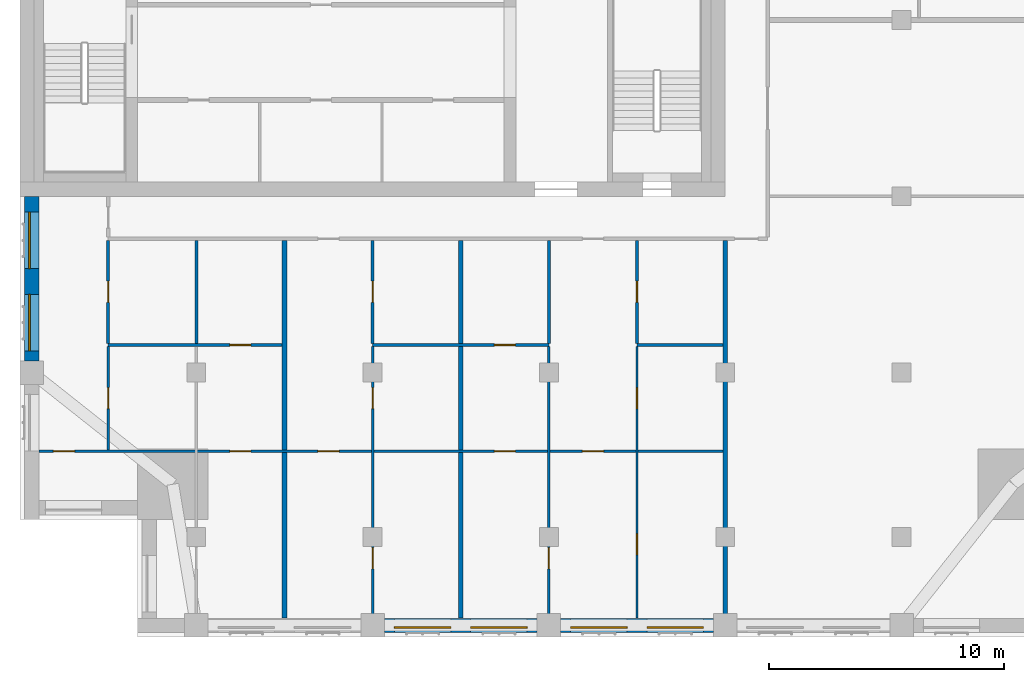
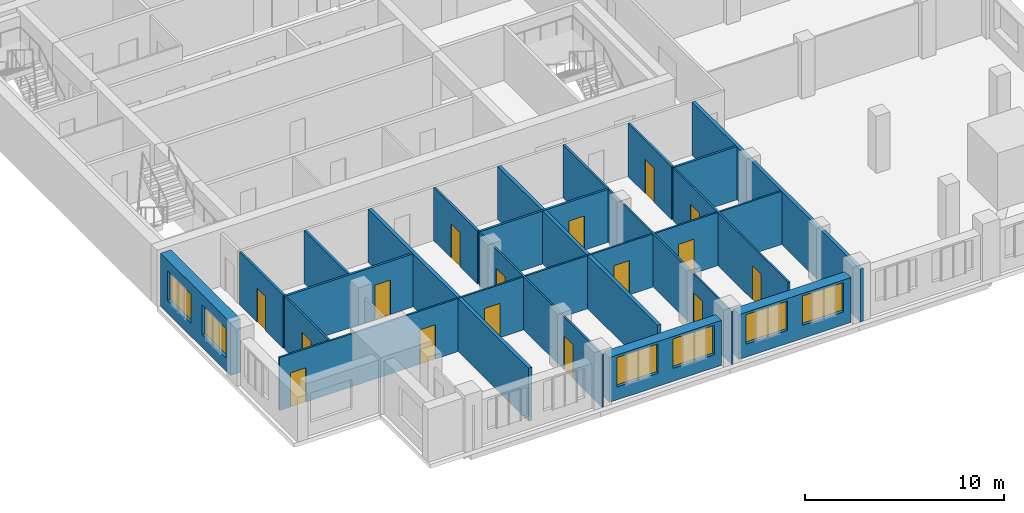
# One storey, part 3 of 10: 19 walls, 16 doors, 6 windows, 22 openings.
"""IFC4 building model written with IfcOpenShell, lengths in metres."""

import ifcopenshell
import ifcopenshell.guid

model = None  # the IFC model being written
_history = None  # IfcOwnerHistory: only IFC2X3 demands one
_inside = {}  # id of a spatial element -> (the spatial element, [elements in it])
_under = {}  # id of a project, library or spatial element -> (it, [spatial elements below it])
_declared = {}  # id of a project -> (the project, [libraries it declares])
_typed = {}  # id of a type object -> (the type object, [elements of that type])
_made_of = {}  # id of a material, layer set ... -> (it, [elements and type objects made of it])


def new_model(schema):
    """Start an empty IFC model of exactly this schema.

    Asked for "IFC4X3", IfcOpenShell would pick the latest addendum, in which some entities
    have other attributes; the version numbers below select the first issue.
    IFC2X3 requires an IfcOwnerHistory on every rooted entity: one is made here for all.
    """
    global model, _history
    if schema == "IFC4X3":
        model = ifcopenshell.file(schema_version=(4, 3, 0, 0))
    else:
        model = ifcopenshell.file(schema=schema)
    _inside.clear()
    _under.clear()
    _declared.clear()
    _typed.clear()
    _made_of.clear()
    _history = None
    if model.schema == "IFC2X3":
        org = make("IfcOrganization", Name="unknown")
        user = make(
            "IfcPersonAndOrganization",
            ThePerson=make("IfcPerson", FamilyName="unknown"),
            TheOrganization=org,
        )
        app = make(
            "IfcApplication",
            ApplicationDeveloper=org,
            Version="unknown",
            ApplicationFullName="unknown",
            ApplicationIdentifier="unknown",
        )
        _history = make(
            "IfcOwnerHistory",
            OwningUser=user,
            OwningApplication=app,
            ChangeAction="ADDED",
            CreationDate=0,
        )
    return model


def make(cls, **values):
    """One entity of the class cls with the attributes given. An attribute that is None is left unset."""
    return model.create_entity(
        cls, **{name: value for name, value in values.items() if value is not None}
    )


def rooted(cls, **values):
    """An entity with a GlobalId (a new one), such as an element, a storey or a relation."""
    return make(cls, GlobalId=ifcopenshell.guid.new(), OwnerHistory=_history, **values)


def si_unit(unit_type, name, prefix=None):
    """IfcSIUnit, for example si_unit("LENGTHUNIT", "METRE", prefix="MILLI")."""
    return make("IfcSIUnit", UnitType=unit_type, Prefix=prefix, Name=name)


def assignment(units):
    """IfcUnitAssignment: the units of a project."""
    return None if units is None else make("IfcUnitAssignment", Units=units)


def point(xyz):
    """IfcCartesianPoint."""
    return None if xyz is None else make("IfcCartesianPoint", Coordinates=xyz)


def direction(xyz):
    """IfcDirection."""
    return None if xyz is None else make("IfcDirection", DirectionRatios=xyz)


def frame(location, z_axis=None, x_axis=None):
    """IfcAxis2Placement3D, a coordinate frame: its origin and axes. An axis left out is left unset."""
    return make(
        "IfcAxis2Placement3D",
        Location=point(location),
        Axis=direction(z_axis),
        RefDirection=direction(x_axis),
    )


def frame_2d(location, x_axis=None):
    """IfcAxis2Placement2D, a coordinate frame in the plane: its origin and x axis."""
    return make(
        "IfcAxis2Placement2D", Location=point(location), RefDirection=direction(x_axis)
    )


def origin():
    """The frame at (0, 0, 0) with its axes left unset."""
    return frame((0.0, 0.0, 0.0))


def place(relative_to, where):
    """IfcLocalPlacement: puts the frame where relative to a parent placement (None: the world)."""
    return make(
        "IfcLocalPlacement", PlacementRelTo=relative_to, RelativePlacement=where
    )


def context(
    kind, dimensions, precision=None, world=None, true_north=None, identifier=None
):
    """IfcGeometricRepresentationContext, for example the 3D "Model" context."""
    return make(
        "IfcGeometricRepresentationContext",
        ContextIdentifier=identifier,
        ContextType=kind,
        CoordinateSpaceDimension=dimensions,
        Precision=precision,
        WorldCoordinateSystem=world,
        TrueNorth=true_north,
    )


def subcontext(parent, identifier, kind, view, scale=None):
    """IfcGeometricRepresentationSubContext, for example "Body" below "Model"."""
    return make(
        "IfcGeometricRepresentationSubContext",
        ContextIdentifier=identifier,
        ContextType=kind,
        ParentContext=parent,
        TargetScale=scale,
        TargetView=view,
    )


def project(units=None, contexts=None):
    """IfcProject with its units and contexts."""
    return rooted(
        "IfcProject",
        Name="project",
        RepresentationContexts=contexts,
        UnitsInContext=assignment(units),
    )


def spatial(cls, under=None, at=None, **own):
    """A site, building, storey or space (cls), placed at a placement, below another one or the project."""
    s = rooted(cls, ObjectPlacement=at, **own)
    if under is not None:
        _under.setdefault(under.id(), (under, []))[1].append(s)
    return s


def profile(cls, at=None, kind="AREA", **sizes):
    """A parametric profile (cls). Its sizes go by their IFC names, for example OverallWidth=200.0."""
    return make(cls, ProfileType=kind, Position=at, **sizes)


def rectangle(**sizes):
    """IfcRectangleProfileDef."""
    return profile("IfcRectangleProfileDef", **sizes)


def extrude(swept, where, along, depth):
    """IfcExtrudedAreaSolid: the profile swept, set in the frame where, extruded along a direction by depth."""
    return make(
        "IfcExtrudedAreaSolid",
        SweptArea=swept,
        Position=where,
        ExtrudedDirection=direction(along),
        Depth=depth,
    )


def shape(context_of_items, identifier, shape_type, items):
    """IfcShapeRepresentation: the items that make up one representation, for example the "Body"."""
    return make(
        "IfcShapeRepresentation",
        ContextOfItems=context_of_items,
        RepresentationIdentifier=identifier,
        RepresentationType=shape_type,
        Items=items,
    )


def material(Name=None, Category=None):
    """IfcMaterial."""
    return make("IfcMaterial", Name=Name, Category=Category)


def layer(
    of_material, thickness, ventilated=None, Name=None, Category=None, Priority=None
):
    """IfcMaterialLayer: one layer of a wall or slab, of a material (None: an air gap)."""
    return make(
        "IfcMaterialLayer",
        Material=of_material,
        LayerThickness=thickness,
        IsVentilated=ventilated,
        Name=Name,
        Category=Category,
        Priority=Priority,
    )


def layer_set(layers, Name=None):
    """IfcMaterialLayerSet."""
    return make("IfcMaterialLayerSet", MaterialLayers=layers, LayerSetName=Name)


def made_of(thing, what):
    """Note that an element or type object is made of a material, layer set ...; save() writes the relation."""
    if what is not None:
        _made_of.setdefault(what.id(), (what, []))[1].append(thing)
    return thing


def type_object(cls, material=None, **own):
    """A type object (cls), such as IfcWallType, which elements share."""
    return made_of(rooted(cls, **own), material)


def element(
    cls,
    number,
    at=None,
    inside=None,
    cuts=None,
    type_object=None,
    material=None,
    context=None,
    identifier="Body",
    shape_type=None,
    held_by="IfcProductDefinitionShape",
    body=None,
    shapes=None,
    **own,
):
    """One element of the class cls, such as IfcWall. Its Tag is "e" and its number.

    at: its placement. inside: the storey or other place that contains it. cuts: it is an
    opening in that element (IfcRelVoidsElement). A single representation is given by context,
    identifier, shape_type and body (its items); several are given by shapes. held_by: the class
    of the entity that holds the representations. save() writes the other relations.
    """
    e = rooted(cls, Tag="e%d" % number, ObjectPlacement=at, **own)
    if body is not None:
        shapes = [shape(context, identifier, shape_type, body)]
    if shapes is not None:
        e.Representation = make(held_by, Representations=shapes)
    if inside is not None:
        _inside.setdefault(inside.id(), (inside, []))[1].append(e)
    if cuts is not None:
        rooted(
            "IfcRelVoidsElement", RelatingBuildingElement=cuts, RelatedOpeningElement=e
        )
    if type_object is not None:
        _typed.setdefault(type_object.id(), (type_object, []))[1].append(e)
    return made_of(e, material)


def fill(opening, filler):
    """IfcRelFillsElement: the door or window that sits in an opening."""
    return rooted(
        "IfcRelFillsElement",
        RelatingOpeningElement=opening,
        RelatedBuildingElement=filler,
    )


def aggregate(whole, parts):
    """IfcRelAggregates: a whole, such as a stair, and the parts it consists of."""
    return rooted("IfcRelAggregates", RelatingObject=whole, RelatedObjects=parts)


def save(model, path):
    """Write the relations noted so far, then the file.

    IfcRelAggregates (storeys below a building ...), IfcRelContainedInSpatialStructure (elements
    in a storey), IfcRelDefinesByType, IfcRelAssociatesMaterial and IfcRelDeclares: one each for
    every whole, place, type object, material and project.
    """
    for whole, parts in _under.values():
        aggregate(whole, parts)
    for where, things in _inside.values():
        rooted(
            "IfcRelContainedInSpatialStructure",
            RelatedElements=things,
            RelatingStructure=where,
        )
    for kind, things in _typed.values():
        rooted("IfcRelDefinesByType", RelatedObjects=things, RelatingType=kind)
    for what, things in _made_of.values():
        rooted("IfcRelAssociatesMaterial", RelatedObjects=things, RelatingMaterial=what)
    for by, libraries in _declared.values():
        rooted("IfcRelDeclares", RelatingContext=by, RelatedDefinitions=libraries)
    model.write(path)


model = new_model("IFC4")

# Units and contexts
model_context = context("Model", 3, precision=1e-05, world=origin(), true_north=direction((0.0, 1.0)))
body_context = subcontext(model_context, "Body", "Model", "MODEL_VIEW")
ifc_project = project(units=[si_unit("LENGTHUNIT", "METRE"), si_unit("AREAUNIT", "SQUARE_METRE"), si_unit("VOLUMEUNIT", "CUBIC_METRE"), si_unit("PLANEANGLEUNIT", "RADIAN"), si_unit("MASSUNIT", "GRAM", prefix="KILO")], contexts=[model_context])

# Site, building, storey
site_placement = place(None, origin())
site = spatial("IfcSite", under=ifc_project, at=site_placement, CompositionType="ELEMENT")
building_placement = place(site_placement, origin())
building = spatial("IfcBuilding", under=site, at=building_placement, Name="Tamorin Gate", CompositionType="ELEMENT")
storey_placement = place(building_placement, frame((0.0, 0.0, 223.199951171875)))
storey = spatial("IfcBuildingStorey", under=building, at=storey_placement, Name="L55", CompositionType="ELEMENT", Elevation=223.199951171875)

# Wall, openings, windows
ifc_material_1 = material(Name="Precast concrete C40/50", Category="concrete")
ifc_layer_1 = layer(ifc_material_1, 0.60009765625)
ifc_layer_set_1 = layer_set([ifc_layer_1], Name="Precast concrete C40/50")
wall_type_1 = type_object("IfcWallType", Name="Board-marked concrete facade panel 600", PredefinedType="SOLIDWALL", material=ifc_layer_set_1)
wall_1_placement = place(storey_placement, frame((45.5, 41.75, 0.0), z_axis=(0.0, 0.0, 1.0), x_axis=(1.0, 0.0, 0.0)))
wall_1 = element("IfcWall", 1, at=wall_1_placement, inside=storey, type_object=wall_type_1, Name="Facade panel", PredefinedType="SOLIDWALL", context=body_context, shape_type="SweptSolid", body=[
    extrude(rectangle(XDim=6.5, YDim=0.60009765625, at=frame_2d((3.25, 0.0))), origin(), (0.0, 0.0, 1.0), 2.75),
])
opening_1_placement = place(wall_1_placement, frame((0.425048828125, 0.0, 0.800048828125)))
opening_1 = element("IfcOpeningElement", 2, at=opening_1_placement, cuts=wall_1, Name="Opening WN1", PredefinedType="OPENING", context=body_context, shape_type="SweptSolid", body=[
    extrude(rectangle(XDim=2.39990234375, YDim=1.800048828125, at=frame_2d((1.199951171875, 0.89990234375))), frame((0.0, 0.31005859375, 0.0), z_axis=(0.0, -1.0, 0.0), x_axis=(1.0, 0.0, 0.0)), (0.0, 0.0, 1.0), 0.6201171875),
])
opening_2_placement = place(wall_1_placement, frame((3.675048828125, 0.0, 0.800048828125)))
opening_2 = element("IfcOpeningElement", 3, at=opening_2_placement, cuts=wall_1, Name="Opening WN1", PredefinedType="OPENING", context=body_context, shape_type="SweptSolid", body=[
    extrude(rectangle(XDim=2.39990234375, YDim=1.800048828125, at=frame_2d((1.199951171875, 0.89990234375))), frame((0.0, 0.31005859375, 0.0), z_axis=(0.0, -1.0, 0.0), x_axis=(1.0, 0.0, 0.0)), (0.0, 0.0, 1.0), 0.6201171875),
])
ifc_material_2 = material(Name="Clear glass in aluminium frame", Category="aluminium")
window_type = type_object("IfcWindowType", Name="Deep-set window 2400x1800", PartitioningType="SINGLE_PANEL", PredefinedType="WINDOW", material=ifc_material_2)
window_1_placement = place(opening_1_placement, origin())
window_1 = element("IfcWindow", 4, at=window_1_placement, inside=storey, type_object=window_type, Name="Deep-set window", OverallHeight=1.800048828125, OverallWidth=2.39990234375, PartitioningType="SINGLE_PANEL", PredefinedType="WINDOW", context=body_context, shape_type="SweptSolid", body=[
    extrude(rectangle(XDim=2.39990234375, YDim=1.800048828125, at=frame_2d((1.199951171875, 0.89990234375))), frame((0.0, -0.070068359375, 0.0), z_axis=(0.0, -1.0, 0.0), x_axis=(1.0, 0.0, 0.0)), (0.0, 0.0, 1.0), 0.06005859375),
])
fill(opening_1, window_1)
window_2_placement = place(opening_2_placement, origin())
window_2 = element("IfcWindow", 5, at=window_2_placement, inside=storey, type_object=window_type, Name="Deep-set window", OverallHeight=1.800048828125, OverallWidth=2.39990234375, PartitioningType="SINGLE_PANEL", PredefinedType="WINDOW", context=body_context, shape_type="SweptSolid", body=[
    extrude(rectangle(XDim=2.39990234375, YDim=1.800048828125, at=frame_2d((1.199951171875, 0.89990234375))), frame((0.0, -0.070068359375, 0.0), z_axis=(0.0, -1.0, 0.0), x_axis=(1.0, 0.0, 0.0)), (0.0, 0.0, 1.0), 0.06005859375),
])
fill(opening_2, window_2)

wall_2_placement = place(storey_placement, frame((53.0, 41.75, 0.0), z_axis=(0.0, 0.0, 1.0), x_axis=(1.0, 0.0, 0.0)))
wall_2 = element("IfcWall", 6, at=wall_2_placement, inside=storey, type_object=wall_type_1, Name="Facade panel", PredefinedType="SOLIDWALL", context=body_context, shape_type="SweptSolid", body=[
    extrude(rectangle(XDim=6.5, YDim=0.60009765625, at=frame_2d((3.25, 0.0))), origin(), (0.0, 0.0, 1.0), 2.75),
])
opening_3_placement = place(wall_2_placement, frame((0.425048828125, 0.0, 0.800048828125)))
opening_3 = element("IfcOpeningElement", 7, at=opening_3_placement, cuts=wall_2, Name="Opening WN1", PredefinedType="OPENING", context=body_context, shape_type="SweptSolid", body=[
    extrude(rectangle(XDim=2.39990234375, YDim=1.800048828125, at=frame_2d((1.199951171875, 0.89990234375))), frame((0.0, 0.31005859375, 0.0), z_axis=(0.0, -1.0, 0.0), x_axis=(1.0, 0.0, 0.0)), (0.0, 0.0, 1.0), 0.6201171875),
])
opening_4_placement = place(wall_2_placement, frame((3.675048828125, 0.0, 0.800048828125)))
opening_4 = element("IfcOpeningElement", 8, at=opening_4_placement, cuts=wall_2, Name="Opening WN1", PredefinedType="OPENING", context=body_context, shape_type="SweptSolid", body=[
    extrude(rectangle(XDim=2.39990234375, YDim=1.800048828125, at=frame_2d((1.199951171875, 0.89990234375))), frame((0.0, 0.31005859375, 0.0), z_axis=(0.0, -1.0, 0.0), x_axis=(1.0, 0.0, 0.0)), (0.0, 0.0, 1.0), 0.6201171875),
])
window_3_placement = place(opening_3_placement, origin())
window_3 = element("IfcWindow", 9, at=window_3_placement, inside=storey, type_object=window_type, Name="Deep-set window", OverallHeight=1.800048828125, OverallWidth=2.39990234375, PartitioningType="SINGLE_PANEL", PredefinedType="WINDOW", context=body_context, shape_type="SweptSolid", body=[
    extrude(rectangle(XDim=2.39990234375, YDim=1.800048828125, at=frame_2d((1.199951171875, 0.89990234375))), frame((0.0, -0.070068359375, 0.0), z_axis=(0.0, -1.0, 0.0), x_axis=(1.0, 0.0, 0.0)), (0.0, 0.0, 1.0), 0.06005859375),
])
fill(opening_3, window_3)
window_4_placement = place(opening_4_placement, origin())
window_4 = element("IfcWindow", 10, at=window_4_placement, inside=storey, type_object=window_type, Name="Deep-set window", OverallHeight=1.800048828125, OverallWidth=2.39990234375, PartitioningType="SINGLE_PANEL", PredefinedType="WINDOW", context=body_context, shape_type="SweptSolid", body=[
    extrude(rectangle(XDim=2.39990234375, YDim=1.800048828125, at=frame_2d((1.199951171875, 0.89990234375))), frame((0.0, -0.070068359375, 0.0), z_axis=(0.0, -1.0, 0.0), x_axis=(1.0, 0.0, 0.0)), (0.0, 0.0, 1.0), 0.06005859375),
])
fill(opening_4, window_4)

wall_3_placement = place(storey_placement, frame((30.5, 60.0, 0.0), z_axis=(0.0, 0.0, 1.0), x_axis=(0.0, -1.0, 0.0)))
wall_3 = element("IfcWall", 11, at=wall_3_placement, inside=storey, type_object=wall_type_1, Name="Facade panel", PredefinedType="SOLIDWALL", context=body_context, shape_type="SweptSolid", body=[
    extrude(rectangle(XDim=7.0, YDim=0.60009765625, at=frame_2d((3.5, 0.0))), origin(), (0.0, 0.0, 1.0), 3.25),
])
opening_5_placement = place(wall_3_placement, frame((4.175048828125, 0.0, 0.800048828125)))
opening_5 = element("IfcOpeningElement", 12, at=opening_5_placement, cuts=wall_3, Name="Opening WN1", PredefinedType="OPENING", context=body_context, shape_type="SweptSolid", body=[
    extrude(rectangle(XDim=2.39990234375, YDim=1.800048828125, at=frame_2d((1.199951171875, 0.89990234375))), frame((0.0, 0.31005859375, 0.0), z_axis=(0.0, -1.0, 0.0), x_axis=(1.0, 0.0, 0.0)), (0.0, 0.0, 1.0), 0.6201171875),
])
opening_6_placement = place(wall_3_placement, frame((0.675048828125, 0.0, 0.800048828125)))
opening_6 = element("IfcOpeningElement", 13, at=opening_6_placement, cuts=wall_3, Name="Opening WN1", PredefinedType="OPENING", context=body_context, shape_type="SweptSolid", body=[
    extrude(rectangle(XDim=2.39990234375, YDim=1.800048828125, at=frame_2d((1.199951171875, 0.89990234375))), frame((0.0, 0.31005859375, 0.0), z_axis=(0.0, -1.0, 0.0), x_axis=(1.0, 0.0, 0.0)), (0.0, 0.0, 1.0), 0.6201171875),
])
window_5_placement = place(opening_5_placement, origin())
window_5 = element("IfcWindow", 14, at=window_5_placement, inside=storey, type_object=window_type, Name="Deep-set window", OverallHeight=1.800048828125, OverallWidth=2.39990234375, PartitioningType="SINGLE_PANEL", PredefinedType="WINDOW", context=body_context, shape_type="SweptSolid", body=[
    extrude(rectangle(XDim=2.39990234375, YDim=1.800048828125, at=frame_2d((1.199951171875, 0.89990234375))), frame((0.0, -0.070068359375, 0.0), z_axis=(0.0, -1.0, 0.0), x_axis=(1.0, 0.0, 0.0)), (0.0, 0.0, 1.0), 0.06005859375),
])
fill(opening_5, window_5)
window_6_placement = place(opening_6_placement, origin())
window_6 = element("IfcWindow", 15, at=window_6_placement, inside=storey, type_object=window_type, Name="Deep-set window", OverallHeight=1.800048828125, OverallWidth=2.39990234375, PartitioningType="SINGLE_PANEL", PredefinedType="WINDOW", context=body_context, shape_type="SweptSolid", body=[
    extrude(rectangle(XDim=2.39990234375, YDim=1.800048828125, at=frame_2d((1.199951171875, 0.89990234375))), frame((0.0, -0.070068359375, 0.0), z_axis=(0.0, -1.0, 0.0), x_axis=(1.0, 0.0, 0.0)), (0.0, 0.0, 1.0), 0.06005859375),
])
fill(opening_6, window_6)

# Walls
ifc_material_3 = material(Name="Gypsum board partition")
ifc_layer_2 = layer(ifc_material_3, 0.199951171875)
ifc_layer_set_2 = layer_set([ifc_layer_2], Name="Demising wall 200")
wall_type_2 = type_object("IfcWallType", Name="Demising wall 200", PredefinedType="PARTITIONING", material=ifc_layer_set_2)
for number, where, z_axis, x_axis, name in (
    (16, (41.25, 42.06005859375, 0.0), (0.0, 0.0, 1.0), (0.0, 1.0, 0.0), "Demising wall 200"),
    (17, (48.75, 42.06005859375, 0.0), (0.0, 0.0, 1.0), (0.0, 1.0, 0.0), "Demising wall 200"),
):
    element("IfcWall", number, at=place(storey_placement, frame(where, z_axis=z_axis, x_axis=x_axis)), inside=storey, type_object=wall_type_2, Name=name, PredefinedType="PARTITIONING", context=body_context, shape_type="SweptSolid", body=[
        extrude(rectangle(XDim=16.06494140625, YDim=0.199951171875, at=frame_2d((8.032470703125, 0.0))), origin(), (0.0, 0.0, 1.0), 3.25),
    ])
wall_4_placement = place(storey_placement, frame((60.0, 41.25, 0.0), z_axis=(0.0, 0.0, 1.0), x_axis=(0.0, 1.0, 0.0)))
element("IfcWall", 18, at=wall_4_placement, inside=storey, type_object=wall_type_2, Name="Demising wall 200", PredefinedType="PARTITIONING", context=body_context, shape_type="SweptSolid", body=[
    extrude(rectangle(XDim=16.875, YDim=0.199951171875, at=frame_2d((8.4375, 0.0))), origin(), (0.0, 0.0, 1.0), 3.25),
])

# Wall, openings, doors
ifc_layer_3 = layer(ifc_material_3, 0.10009765625)
ifc_layer_set_3 = layer_set([ifc_layer_3], Name="Room partition 100")
wall_type_3 = type_object("IfcWallType", Name="Room partition 100", PredefinedType="PARTITIONING", material=ifc_layer_set_3)
wall_5_placement = place(storey_placement, frame((30.81005859375, 49.14990234375, 0.0), z_axis=(0.0, 0.0, 1.0), x_axis=(1.0, 0.0, 0.0)))
wall_5 = element("IfcWall", 19, at=wall_5_placement, inside=storey, type_object=wall_type_3, Name="Room partition 100", PredefinedType="PARTITIONING", context=body_context, shape_type="SweptSolid", body=[
    extrude(rectangle(XDim=29.08984375, YDim=0.10009765625, at=frame_2d((14.544921875, 0.0))), origin(), (0.0, 0.0, 1.0), 3.25),
])
opening_7_placement = place(wall_5_placement, frame((0.614990234375, 0.0, 0.0)))
opening_7 = element("IfcOpeningElement", 20, at=opening_7_placement, cuts=wall_5, Name="Opening DR5002", PredefinedType="OPENING", context=body_context, shape_type="SweptSolid", body=[
    extrude(rectangle(XDim=0.89990234375, YDim=2.10009765625, at=frame_2d((0.449951171875, 1.050048828125))), frame((0.0, 0.06005859375, 0.0), z_axis=(0.0, -1.0, 0.0), x_axis=(1.0, 0.0, 0.0)), (0.0, 0.0, 1.0), 0.1201171875),
])
opening_8_placement = place(wall_5_placement, frame((8.114990234375, 0.0, 0.0)))
opening_8 = element("IfcOpeningElement", 21, at=opening_8_placement, cuts=wall_5, Name="Opening DR5005", PredefinedType="OPENING", context=body_context, shape_type="SweptSolid", body=[
    extrude(rectangle(XDim=0.89990234375, YDim=2.10009765625, at=frame_2d((0.449951171875, 1.050048828125))), frame((0.0, 0.06005859375, 0.0), z_axis=(0.0, -1.0, 0.0), x_axis=(1.0, 0.0, 0.0)), (0.0, 0.0, 1.0), 0.1201171875),
])
opening_9_placement = place(wall_5_placement, frame((11.864990234375, 0.0, 0.0)))
opening_9 = element("IfcOpeningElement", 22, at=opening_9_placement, cuts=wall_5, Name="Opening DR5009", PredefinedType="OPENING", context=body_context, shape_type="SweptSolid", body=[
    extrude(rectangle(XDim=0.89990234375, YDim=2.10009765625, at=frame_2d((0.449951171875, 1.050048828125))), frame((0.0, 0.06005859375, 0.0), z_axis=(0.0, -1.0, 0.0), x_axis=(1.0, 0.0, 0.0)), (0.0, 0.0, 1.0), 0.1201171875),
])
opening_10_placement = place(wall_5_placement, frame((19.364990234375, 0.0, 0.0)))
opening_10 = element("IfcOpeningElement", 23, at=opening_10_placement, cuts=wall_5, Name="Opening DR5013", PredefinedType="OPENING", context=body_context, shape_type="SweptSolid", body=[
    extrude(rectangle(XDim=0.89990234375, YDim=2.10009765625, at=frame_2d((0.449951171875, 1.050048828125))), frame((0.0, 0.06005859375, 0.0), z_axis=(0.0, -1.0, 0.0), x_axis=(1.0, 0.0, 0.0)), (0.0, 0.0, 1.0), 0.1201171875),
])
opening_11_placement = place(wall_5_placement, frame((23.114990234375, 0.0, 0.0)))
opening_11 = element("IfcOpeningElement", 24, at=opening_11_placement, cuts=wall_5, Name="Opening DR5016", PredefinedType="OPENING", context=body_context, shape_type="SweptSolid", body=[
    extrude(rectangle(XDim=0.89990234375, YDim=2.10009765625, at=frame_2d((0.449951171875, 1.050048828125))), frame((0.0, 0.06005859375, 0.0), z_axis=(0.0, -1.0, 0.0), x_axis=(1.0, 0.0, 0.0)), (0.0, 0.0, 1.0), 0.1201171875),
])
ifc_material_4 = material(Name="Timber door leaf", Category="wood")
door_type = type_object("IfcDoorType", Name="Door 900 x 2100", OperationType="NOTDEFINED", PredefinedType="DOOR", material=ifc_material_4)
door_1_placement = place(opening_7_placement, origin())
door_1 = element("IfcDoor", 25, at=door_1_placement, inside=storey, type_object=door_type, Name="Door DR5002", OperationType="SINGLE_SWING_LEFT", OverallHeight=2.10009765625, OverallWidth=0.89990234375, PredefinedType="DOOR", context=body_context, shape_type="SweptSolid", body=[
    extrude(rectangle(XDim=0.89990234375, YDim=2.10009765625, at=frame_2d((0.449951171875, 1.050048828125))), frame((0.0, 0.02490234375, 0.0), z_axis=(0.0, -1.0, 0.0), x_axis=(1.0, 0.0, 0.0)), (0.0, 0.0, 1.0), 0.050048828125),
])
fill(opening_7, door_1)
door_2_placement = place(opening_8_placement, origin())
door_2 = element("IfcDoor", 26, at=door_2_placement, inside=storey, type_object=door_type, Name="Door DR5005", OperationType="SINGLE_SWING_LEFT", OverallHeight=2.10009765625, OverallWidth=0.89990234375, PredefinedType="DOOR", context=body_context, shape_type="SweptSolid", body=[
    extrude(rectangle(XDim=0.89990234375, YDim=2.10009765625, at=frame_2d((0.449951171875, 1.050048828125))), frame((0.0, 0.02490234375, 0.0), z_axis=(0.0, -1.0, 0.0), x_axis=(1.0, 0.0, 0.0)), (0.0, 0.0, 1.0), 0.050048828125),
])
fill(opening_8, door_2)
door_3_placement = place(opening_9_placement, origin())
door_3 = element("IfcDoor", 27, at=door_3_placement, inside=storey, type_object=door_type, Name="Door DR5009", OperationType="SINGLE_SWING_LEFT", OverallHeight=2.10009765625, OverallWidth=0.89990234375, PredefinedType="DOOR", context=body_context, shape_type="SweptSolid", body=[
    extrude(rectangle(XDim=0.89990234375, YDim=2.10009765625, at=frame_2d((0.449951171875, 1.050048828125))), frame((0.0, 0.02490234375, 0.0), z_axis=(0.0, -1.0, 0.0), x_axis=(1.0, 0.0, 0.0)), (0.0, 0.0, 1.0), 0.050048828125),
])
fill(opening_9, door_3)
door_4_placement = place(opening_10_placement, origin())
door_4 = element("IfcDoor", 28, at=door_4_placement, inside=storey, type_object=door_type, Name="Door DR5013", OperationType="SINGLE_SWING_LEFT", OverallHeight=2.10009765625, OverallWidth=0.89990234375, PredefinedType="DOOR", context=body_context, shape_type="SweptSolid", body=[
    extrude(rectangle(XDim=0.89990234375, YDim=2.10009765625, at=frame_2d((0.449951171875, 1.050048828125))), frame((0.0, 0.02490234375, 0.0), z_axis=(0.0, -1.0, 0.0), x_axis=(1.0, 0.0, 0.0)), (0.0, 0.0, 1.0), 0.050048828125),
])
fill(opening_10, door_4)
door_5_placement = place(opening_11_placement, origin())
door_5 = element("IfcDoor", 29, at=door_5_placement, inside=storey, type_object=door_type, Name="Door DR5016", OperationType="SINGLE_SWING_LEFT", OverallHeight=2.10009765625, OverallWidth=0.89990234375, PredefinedType="DOOR", context=body_context, shape_type="SweptSolid", body=[
    extrude(rectangle(XDim=0.89990234375, YDim=2.10009765625, at=frame_2d((0.449951171875, 1.050048828125))), frame((0.0, 0.02490234375, 0.0), z_axis=(0.0, -1.0, 0.0), x_axis=(1.0, 0.0, 0.0)), (0.0, 0.0, 1.0), 0.050048828125),
])
fill(opening_11, door_5)

# Wall, opening, door
wall_6_placement = place(storey_placement, frame((33.75, 49.199951171875, 0.0), z_axis=(0.0, 0.0, 1.0), x_axis=(0.0, 1.0, 0.0)))
wall_6 = element("IfcWall", 30, at=wall_6_placement, inside=storey, type_object=wall_type_3, Name="Room partition 100", PredefinedType="PARTITIONING", context=body_context, shape_type="SweptSolid", body=[
    extrude(rectangle(XDim=4.41259765625, YDim=0.10009765625, at=frame_2d((2.206298828125, 0.0))), origin(), (0.0, 0.0, 1.0), 3.25),
])
opening_12_placement = place(wall_6_placement, frame((1.762451171875, 0.0, 0.0)))
opening_12 = element("IfcOpeningElement", 31, at=opening_12_placement, cuts=wall_6, Name="Opening DR5003", PredefinedType="OPENING", context=body_context, shape_type="SweptSolid", body=[
    extrude(rectangle(XDim=0.89990234375, YDim=2.10009765625, at=frame_2d((0.449951171875, 1.050048828125))), frame((0.0, 0.06005859375, 0.0), z_axis=(0.0, -1.0, 0.0), x_axis=(1.0, 0.0, 0.0)), (0.0, 0.0, 1.0), 0.1201171875),
])
door_6_placement = place(opening_12_placement, origin())
door_6 = element("IfcDoor", 32, at=door_6_placement, inside=storey, type_object=door_type, Name="Door DR5003", OperationType="SINGLE_SWING_LEFT", OverallHeight=2.10009765625, OverallWidth=0.89990234375, PredefinedType="DOOR", context=body_context, shape_type="SweptSolid", body=[
    extrude(rectangle(XDim=0.89990234375, YDim=2.10009765625, at=frame_2d((0.449951171875, 1.050048828125))), frame((0.0, 0.02490234375, 0.0), z_axis=(0.0, -1.0, 0.0), x_axis=(1.0, 0.0, 0.0)), (0.0, 0.0, 1.0), 0.050048828125),
])
fill(opening_12, door_6)

# Wall, openings, doors
wall_7_placement = place(storey_placement, frame((45.0, 41.25, 0.0), z_axis=(0.0, 0.0, 1.0), x_axis=(0.0, 1.0, 0.0)))
wall_7 = element("IfcWall", 33, at=wall_7_placement, inside=storey, type_object=wall_type_3, Name="Room partition 100", PredefinedType="PARTITIONING", context=body_context, shape_type="SweptSolid", body=[
    extrude(rectangle(XDim=12.362548828125, YDim=0.10009765625, at=frame_2d((6.18115234375, 0.0))), origin(), (0.0, 0.0, 1.0), 3.25),
])
opening_13_placement = place(wall_7_placement, frame((9.71240234375, 0.0, 0.0)))
opening_13 = element("IfcOpeningElement", 34, at=opening_13_placement, cuts=wall_7, Name="Opening DR5010", PredefinedType="OPENING", context=body_context, shape_type="SweptSolid", body=[
    extrude(rectangle(XDim=0.89990234375, YDim=2.10009765625, at=frame_2d((0.449951171875, 1.050048828125))), frame((0.0, 0.06005859375, 0.0), z_axis=(0.0, -1.0, 0.0), x_axis=(1.0, 0.0, 0.0)), (0.0, 0.0, 1.0), 0.1201171875),
])
opening_14_placement = place(wall_7_placement, frame((2.89990234375, 0.0, 0.0)))
opening_14 = element("IfcOpeningElement", 35, at=opening_14_placement, cuts=wall_7, Name="Opening DR5012", PredefinedType="OPENING", context=body_context, shape_type="SweptSolid", body=[
    extrude(rectangle(XDim=0.89990234375, YDim=2.10009765625, at=frame_2d((0.449951171875, 1.050048828125))), frame((0.0, 0.06005859375, 0.0), z_axis=(0.0, -1.0, 0.0), x_axis=(1.0, 0.0, 0.0)), (0.0, 0.0, 1.0), 0.1201171875),
])
door_7_placement = place(opening_13_placement, origin())
door_7 = element("IfcDoor", 36, at=door_7_placement, inside=storey, type_object=door_type, Name="Door DR5010", OperationType="SINGLE_SWING_LEFT", OverallHeight=2.10009765625, OverallWidth=0.89990234375, PredefinedType="DOOR", context=body_context, shape_type="SweptSolid", body=[
    extrude(rectangle(XDim=0.89990234375, YDim=2.10009765625, at=frame_2d((0.449951171875, 1.050048828125))), frame((0.0, 0.02490234375, 0.0), z_axis=(0.0, -1.0, 0.0), x_axis=(1.0, 0.0, 0.0)), (0.0, 0.0, 1.0), 0.050048828125),
])
fill(opening_13, door_7)
door_8_placement = place(opening_14_placement, origin())
door_8 = element("IfcDoor", 37, at=door_8_placement, inside=storey, type_object=door_type, Name="Door DR5012", OperationType="SINGLE_SWING_LEFT", OverallHeight=2.10009765625, OverallWidth=0.89990234375, PredefinedType="DOOR", context=body_context, shape_type="SweptSolid", body=[
    extrude(rectangle(XDim=0.89990234375, YDim=2.10009765625, at=frame_2d((0.449951171875, 1.050048828125))), frame((0.0, 0.02490234375, 0.0), z_axis=(0.0, -1.0, 0.0), x_axis=(1.0, 0.0, 0.0)), (0.0, 0.0, 1.0), 0.050048828125),
])
fill(opening_14, door_8)

# Wall, opening, door
wall_8_placement = place(storey_placement, frame((52.5, 41.25, 0.0), z_axis=(0.0, 0.0, 1.0), x_axis=(0.0, 1.0, 0.0)))
wall_8 = element("IfcWall", 38, at=wall_8_placement, inside=storey, type_object=wall_type_3, Name="Room partition 100", PredefinedType="PARTITIONING", context=body_context, shape_type="SweptSolid", body=[
    extrude(rectangle(XDim=12.362548828125, YDim=0.10009765625, at=frame_2d((6.18115234375, 0.0))), origin(), (0.0, 0.0, 1.0), 3.25),
])
opening_15_placement = place(wall_8_placement, frame((2.89990234375, 0.0, 0.0)))
opening_15 = element("IfcOpeningElement", 39, at=opening_15_placement, cuts=wall_8, Name="Opening DR5019", PredefinedType="OPENING", context=body_context, shape_type="SweptSolid", body=[
    extrude(rectangle(XDim=0.89990234375, YDim=2.10009765625, at=frame_2d((0.449951171875, 1.050048828125))), frame((0.0, 0.06005859375, 0.0), z_axis=(0.0, -1.0, 0.0), x_axis=(1.0, 0.0, 0.0)), (0.0, 0.0, 1.0), 0.1201171875),
])
door_9_placement = place(opening_15_placement, origin())
door_9 = element("IfcDoor", 40, at=door_9_placement, inside=storey, type_object=door_type, Name="Door DR5019", OperationType="SINGLE_SWING_LEFT", OverallHeight=2.10009765625, OverallWidth=0.89990234375, PredefinedType="DOOR", context=body_context, shape_type="SweptSolid", body=[
    extrude(rectangle(XDim=0.89990234375, YDim=2.10009765625, at=frame_2d((0.449951171875, 1.050048828125))), frame((0.0, 0.02490234375, 0.0), z_axis=(0.0, -1.0, 0.0), x_axis=(1.0, 0.0, 0.0)), (0.0, 0.0, 1.0), 0.050048828125),
])
fill(opening_15, door_9)

# Wall, openings, doors
wall_9_placement = place(storey_placement, frame((56.25, 42.06005859375, 0.0), z_axis=(0.0, 0.0, 1.0), x_axis=(0.0, 1.0, 0.0)))
wall_9 = element("IfcWall", 41, at=wall_9_placement, inside=storey, type_object=wall_type_3, Name="Room partition 100", PredefinedType="PARTITIONING", context=body_context, shape_type="SweptSolid", body=[
    extrude(rectangle(XDim=11.552490234375, YDim=0.10009765625, at=frame_2d((5.7763671875, 0.0))), origin(), (0.0, 0.0, 1.0), 3.25),
])
opening_16_placement = place(wall_9_placement, frame((8.902587890625, 0.0, 0.0)))
opening_16 = element("IfcOpeningElement", 42, at=opening_16_placement, cuts=wall_9, Name="Opening DR5017", PredefinedType="OPENING", context=body_context, shape_type="SweptSolid", body=[
    extrude(rectangle(XDim=0.89990234375, YDim=2.10009765625, at=frame_2d((0.449951171875, 1.050048828125))), frame((0.0, 0.06005859375, 0.0), z_axis=(0.0, -1.0, 0.0), x_axis=(1.0, 0.0, 0.0)), (0.0, 0.0, 1.0), 0.1201171875),
])
opening_17_placement = place(wall_9_placement, frame((2.68994140625, 0.0, 0.0)))
opening_17 = element("IfcOpeningElement", 43, at=opening_17_placement, cuts=wall_9, Name="Opening DR5020", PredefinedType="OPENING", context=body_context, shape_type="SweptSolid", body=[
    extrude(rectangle(XDim=0.89990234375, YDim=2.10009765625, at=frame_2d((0.449951171875, 1.050048828125))), frame((0.0, 0.06005859375, 0.0), z_axis=(0.0, -1.0, 0.0), x_axis=(1.0, 0.0, 0.0)), (0.0, 0.0, 1.0), 0.1201171875),
])
door_10_placement = place(opening_16_placement, origin())
door_10 = element("IfcDoor", 44, at=door_10_placement, inside=storey, type_object=door_type, Name="Door DR5017", OperationType="SINGLE_SWING_LEFT", OverallHeight=2.10009765625, OverallWidth=0.89990234375, PredefinedType="DOOR", context=body_context, shape_type="SweptSolid", body=[
    extrude(rectangle(XDim=0.89990234375, YDim=2.10009765625, at=frame_2d((0.449951171875, 1.050048828125))), frame((0.0, 0.02490234375, 0.0), z_axis=(0.0, -1.0, 0.0), x_axis=(1.0, 0.0, 0.0)), (0.0, 0.0, 1.0), 0.050048828125),
])
fill(opening_16, door_10)
door_11_placement = place(opening_17_placement, origin())
door_11 = element("IfcDoor", 45, at=door_11_placement, inside=storey, type_object=door_type, Name="Door DR5020", OperationType="SINGLE_SWING_LEFT", OverallHeight=2.10009765625, OverallWidth=0.89990234375, PredefinedType="DOOR", context=body_context, shape_type="SweptSolid", body=[
    extrude(rectangle(XDim=0.89990234375, YDim=2.10009765625, at=frame_2d((0.449951171875, 1.050048828125))), frame((0.0, 0.02490234375, 0.0), z_axis=(0.0, -1.0, 0.0), x_axis=(1.0, 0.0, 0.0)), (0.0, 0.0, 1.0), 0.050048828125),
])
fill(opening_17, door_11)

# Wall, opening, door
ifc_layer_4 = layer(ifc_material_3, 0.125)
ifc_layer_set_4 = layer_set([ifc_layer_4], Name="Wet wall 125")
wall_type_4 = type_object("IfcWallType", Name="Wet wall 125", PredefinedType="PARTITIONING", material=ifc_layer_set_4)
wall_10_placement = place(storey_placement, frame((33.75, 53.675048828125, 0.0), z_axis=(0.0, 0.0, 1.0), x_axis=(1.0, 0.0, 0.0)))
wall_10 = element("IfcWall", 46, at=wall_10_placement, inside=storey, type_object=wall_type_4, Name="Wet wall 125", PredefinedType="PARTITIONING", context=body_context, shape_type="SweptSolid", body=[
    extrude(rectangle(XDim=7.39990234375, YDim=0.125, at=frame_2d((3.699951171875, 0.0))), origin(), (0.0, 0.0, 1.0), 3.25),
])
opening_18_placement = place(wall_10_placement, frame((5.175048828125, 0.0, 0.0)))
opening_18 = element("IfcOpeningElement", 47, at=opening_18_placement, cuts=wall_10, Name="Opening DR5006", PredefinedType="OPENING", context=body_context, shape_type="SweptSolid", body=[
    extrude(rectangle(XDim=0.89990234375, YDim=2.10009765625, at=frame_2d((0.449951171875, 1.050048828125))), frame((0.0, 0.072509765625, 0.0), z_axis=(0.0, -1.0, 0.0), x_axis=(1.0, 0.0, 0.0)), (0.0, 0.0, 1.0), 0.14501953125),
])
door_12_placement = place(opening_18_placement, origin())
door_12 = element("IfcDoor", 48, at=door_12_placement, inside=storey, type_object=door_type, Name="Door DR5006", OperationType="SINGLE_SWING_LEFT", OverallHeight=2.10009765625, OverallWidth=0.89990234375, PredefinedType="DOOR", context=body_context, shape_type="SweptSolid", body=[
    extrude(rectangle(XDim=0.89990234375, YDim=2.10009765625, at=frame_2d((0.449951171875, 1.050048828125))), frame((0.0, 0.02490234375, 0.0), z_axis=(0.0, -1.0, 0.0), x_axis=(1.0, 0.0, 0.0)), (0.0, 0.0, 1.0), 0.050048828125),
])
fill(opening_18, door_12)

wall_11_placement = place(storey_placement, frame((45.0, 53.675048828125, 0.0), z_axis=(0.0, 0.0, 1.0), x_axis=(1.0, 0.0, 0.0)))
wall_11 = element("IfcWall", 49, at=wall_11_placement, inside=storey, type_object=wall_type_4, Name="Wet wall 125", PredefinedType="PARTITIONING", context=body_context, shape_type="SweptSolid", body=[
    extrude(rectangle(XDim=7.5, YDim=0.125, at=frame_2d((3.75, 0.0))), origin(), (0.0, 0.0, 1.0), 3.25),
])
opening_19_placement = place(wall_11_placement, frame((5.175048828125, 0.0, 0.0)))
opening_19 = element("IfcOpeningElement", 50, at=opening_19_placement, cuts=wall_11, Name="Opening DR5014", PredefinedType="OPENING", context=body_context, shape_type="SweptSolid", body=[
    extrude(rectangle(XDim=0.89990234375, YDim=2.10009765625, at=frame_2d((0.449951171875, 1.050048828125))), frame((0.0, 0.072509765625, 0.0), z_axis=(0.0, -1.0, 0.0), x_axis=(1.0, 0.0, 0.0)), (0.0, 0.0, 1.0), 0.14501953125),
])
door_13_placement = place(opening_19_placement, origin())
door_13 = element("IfcDoor", 51, at=door_13_placement, inside=storey, type_object=door_type, Name="Door DR5014", OperationType="SINGLE_SWING_LEFT", OverallHeight=2.10009765625, OverallWidth=0.89990234375, PredefinedType="DOOR", context=body_context, shape_type="SweptSolid", body=[
    extrude(rectangle(XDim=0.89990234375, YDim=2.10009765625, at=frame_2d((0.449951171875, 1.050048828125))), frame((0.0, 0.02490234375, 0.0), z_axis=(0.0, -1.0, 0.0), x_axis=(1.0, 0.0, 0.0)), (0.0, 0.0, 1.0), 0.050048828125),
])
fill(opening_19, door_13)

# Wall
wall_12_placement = place(storey_placement, frame((56.25, 53.675048828125, 0.0), z_axis=(0.0, 0.0, 1.0), x_axis=(1.0, 0.0, 0.0)))
element("IfcWall", 52, at=wall_12_placement, inside=storey, type_object=wall_type_4, Name="Wet wall 125", PredefinedType="PARTITIONING", context=body_context, shape_type="SweptSolid", body=[
    extrude(rectangle(XDim=3.64990234375, YDim=0.125, at=frame_2d((1.824951171875, 0.0))), origin(), (0.0, 0.0, 1.0), 3.25),
])

# Wall, opening, door
wall_13_placement = place(storey_placement, frame((33.75, 53.737548828125, 0.0), z_axis=(0.0, 0.0, 1.0), x_axis=(0.0, 1.0, 0.0)))
wall_13 = element("IfcWall", 53, at=wall_13_placement, inside=storey, type_object=wall_type_4, Name="Wet wall 125", PredefinedType="PARTITIONING", context=body_context, shape_type="SweptSolid", body=[
    extrude(rectangle(XDim=4.387451171875, YDim=0.125, at=frame_2d((2.19384765625, 0.0))), origin(), (0.0, 0.0, 1.0), 3.25),
])
opening_20_placement = place(wall_13_placement, frame((1.75, 0.0, 0.0)))
opening_20 = element("IfcOpeningElement", 54, at=opening_20_placement, cuts=wall_13, Name="Opening DR5004", PredefinedType="OPENING", context=body_context, shape_type="SweptSolid", body=[
    extrude(rectangle(XDim=0.89990234375, YDim=2.10009765625, at=frame_2d((0.449951171875, 1.050048828125))), frame((0.0, 0.072509765625, 0.0), z_axis=(0.0, -1.0, 0.0), x_axis=(1.0, 0.0, 0.0)), (0.0, 0.0, 1.0), 0.14501953125),
])
door_14_placement = place(opening_20_placement, origin())
door_14 = element("IfcDoor", 55, at=door_14_placement, inside=storey, type_object=door_type, Name="Door DR5004", OperationType="SINGLE_SWING_RIGHT", OverallHeight=2.10009765625, OverallWidth=0.89990234375, PredefinedType="DOOR", context=body_context, shape_type="SweptSolid", body=[
    extrude(rectangle(XDim=0.89990234375, YDim=2.10009765625, at=frame_2d((0.449951171875, 1.050048828125))), frame((0.0, 0.02490234375, 0.0), z_axis=(0.0, -1.0, 0.0), x_axis=(1.0, 0.0, 0.0)), (0.0, 0.0, 1.0), 0.050048828125),
])
fill(opening_20, door_14)

# Wall
wall_14_placement = place(storey_placement, frame((37.5, 53.737548828125, 0.0), z_axis=(0.0, 0.0, 1.0), x_axis=(0.0, 1.0, 0.0)))
element("IfcWall", 56, at=wall_14_placement, inside=storey, type_object=wall_type_4, Name="Wet wall 125", PredefinedType="PARTITIONING", context=body_context, shape_type="SweptSolid", body=[
    extrude(rectangle(XDim=4.387451171875, YDim=0.125, at=frame_2d((2.19384765625, 0.0))), origin(), (0.0, 0.0, 1.0), 3.25),
])

# Wall, opening, door
wall_15_placement = place(storey_placement, frame((45.0, 53.737548828125, 0.0), z_axis=(0.0, 0.0, 1.0), x_axis=(0.0, 1.0, 0.0)))
wall_15 = element("IfcWall", 57, at=wall_15_placement, inside=storey, type_object=wall_type_4, Name="Wet wall 125", PredefinedType="PARTITIONING", context=body_context, shape_type="SweptSolid", body=[
    extrude(rectangle(XDim=4.387451171875, YDim=0.125, at=frame_2d((2.19384765625, 0.0))), origin(), (0.0, 0.0, 1.0), 3.25),
])
opening_21_placement = place(wall_15_placement, frame((1.75, 0.0, 0.0)))
opening_21 = element("IfcOpeningElement", 58, at=opening_21_placement, cuts=wall_15, Name="Opening DR5011", PredefinedType="OPENING", context=body_context, shape_type="SweptSolid", body=[
    extrude(rectangle(XDim=0.89990234375, YDim=2.10009765625, at=frame_2d((0.449951171875, 1.050048828125))), frame((0.0, 0.072509765625, 0.0), z_axis=(0.0, -1.0, 0.0), x_axis=(1.0, 0.0, 0.0)), (0.0, 0.0, 1.0), 0.14501953125),
])
door_15_placement = place(opening_21_placement, origin())
door_15 = element("IfcDoor", 59, at=door_15_placement, inside=storey, type_object=door_type, Name="Door DR5011", OperationType="SINGLE_SWING_RIGHT", OverallHeight=2.10009765625, OverallWidth=0.89990234375, PredefinedType="DOOR", context=body_context, shape_type="SweptSolid", body=[
    extrude(rectangle(XDim=0.89990234375, YDim=2.10009765625, at=frame_2d((0.449951171875, 1.050048828125))), frame((0.0, 0.02490234375, 0.0), z_axis=(0.0, -1.0, 0.0), x_axis=(1.0, 0.0, 0.0)), (0.0, 0.0, 1.0), 0.050048828125),
])
fill(opening_21, door_15)

# Wall
wall_16_placement = place(storey_placement, frame((52.5, 53.737548828125, 0.0), z_axis=(0.0, 0.0, 1.0), x_axis=(0.0, 1.0, 0.0)))
element("IfcWall", 60, at=wall_16_placement, inside=storey, type_object=wall_type_4, Name="Wet wall 125", PredefinedType="PARTITIONING", context=body_context, shape_type="SweptSolid", body=[
    extrude(rectangle(XDim=4.387451171875, YDim=0.125, at=frame_2d((2.19384765625, 0.0))), origin(), (0.0, 0.0, 1.0), 3.25),
])

# Wall, opening, door
wall_17_placement = place(storey_placement, frame((56.25, 53.737548828125, 0.0), z_axis=(0.0, 0.0, 1.0), x_axis=(0.0, 1.0, 0.0)))
wall_17 = element("IfcWall", 61, at=wall_17_placement, inside=storey, type_object=wall_type_4, Name="Wet wall 125", PredefinedType="PARTITIONING", context=body_context, shape_type="SweptSolid", body=[
    extrude(rectangle(XDim=4.387451171875, YDim=0.125, at=frame_2d((2.19384765625, 0.0))), origin(), (0.0, 0.0, 1.0), 3.25),
])
opening_22_placement = place(wall_17_placement, frame((1.75, 0.0, 0.0)))
opening_22 = element("IfcOpeningElement", 62, at=opening_22_placement, cuts=wall_17, Name="Opening DR5018", PredefinedType="OPENING", context=body_context, shape_type="SweptSolid", body=[
    extrude(rectangle(XDim=0.89990234375, YDim=2.10009765625, at=frame_2d((0.449951171875, 1.050048828125))), frame((0.0, 0.072509765625, 0.0), z_axis=(0.0, -1.0, 0.0), x_axis=(1.0, 0.0, 0.0)), (0.0, 0.0, 1.0), 0.14501953125),
])
door_16_placement = place(opening_22_placement, origin())
door_16 = element("IfcDoor", 63, at=door_16_placement, inside=storey, type_object=door_type, Name="Door DR5018", OperationType="SINGLE_SWING_RIGHT", OverallHeight=2.10009765625, OverallWidth=0.89990234375, PredefinedType="DOOR", context=body_context, shape_type="SweptSolid", body=[
    extrude(rectangle(XDim=0.89990234375, YDim=2.10009765625, at=frame_2d((0.449951171875, 1.050048828125))), frame((0.0, 0.02490234375, 0.0), z_axis=(0.0, -1.0, 0.0), x_axis=(1.0, 0.0, 0.0)), (0.0, 0.0, 1.0), 0.050048828125),
])
fill(opening_22, door_16)

save(model, "model.ifc")
